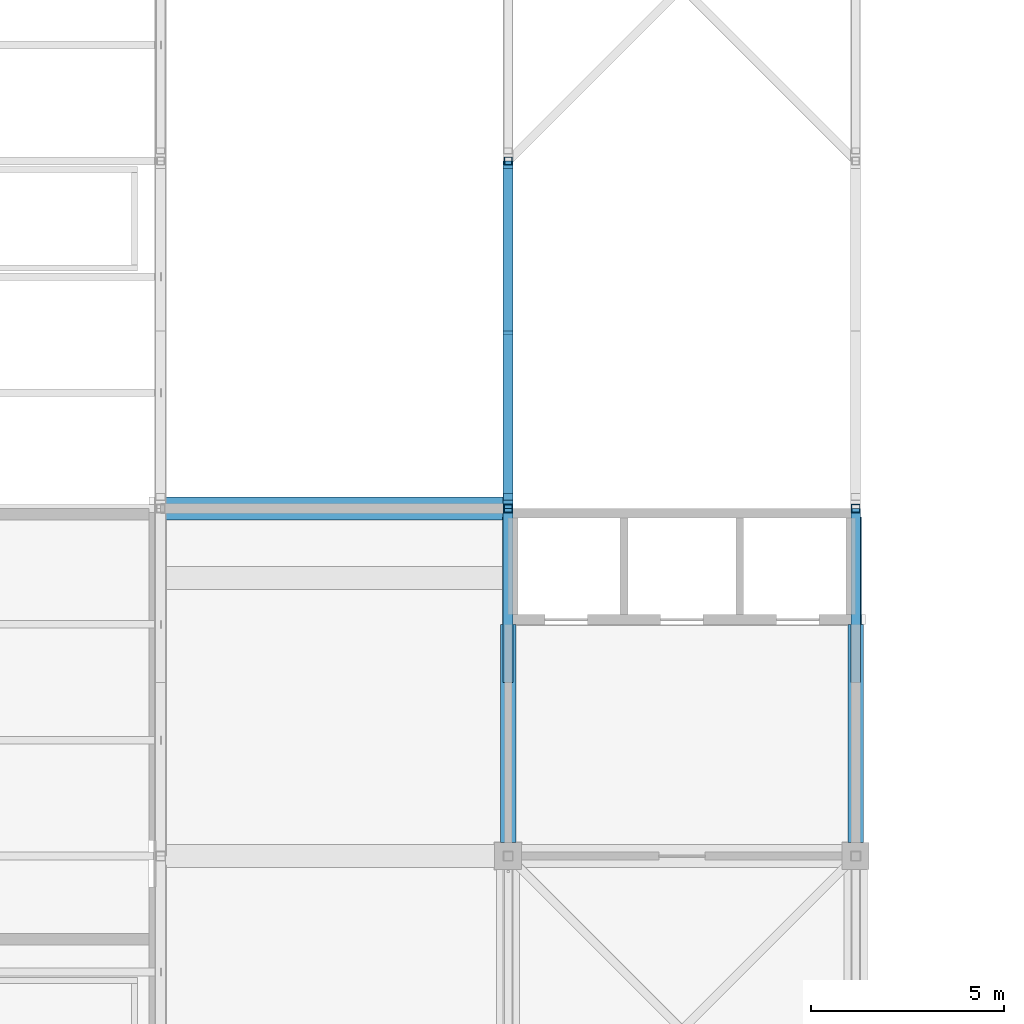
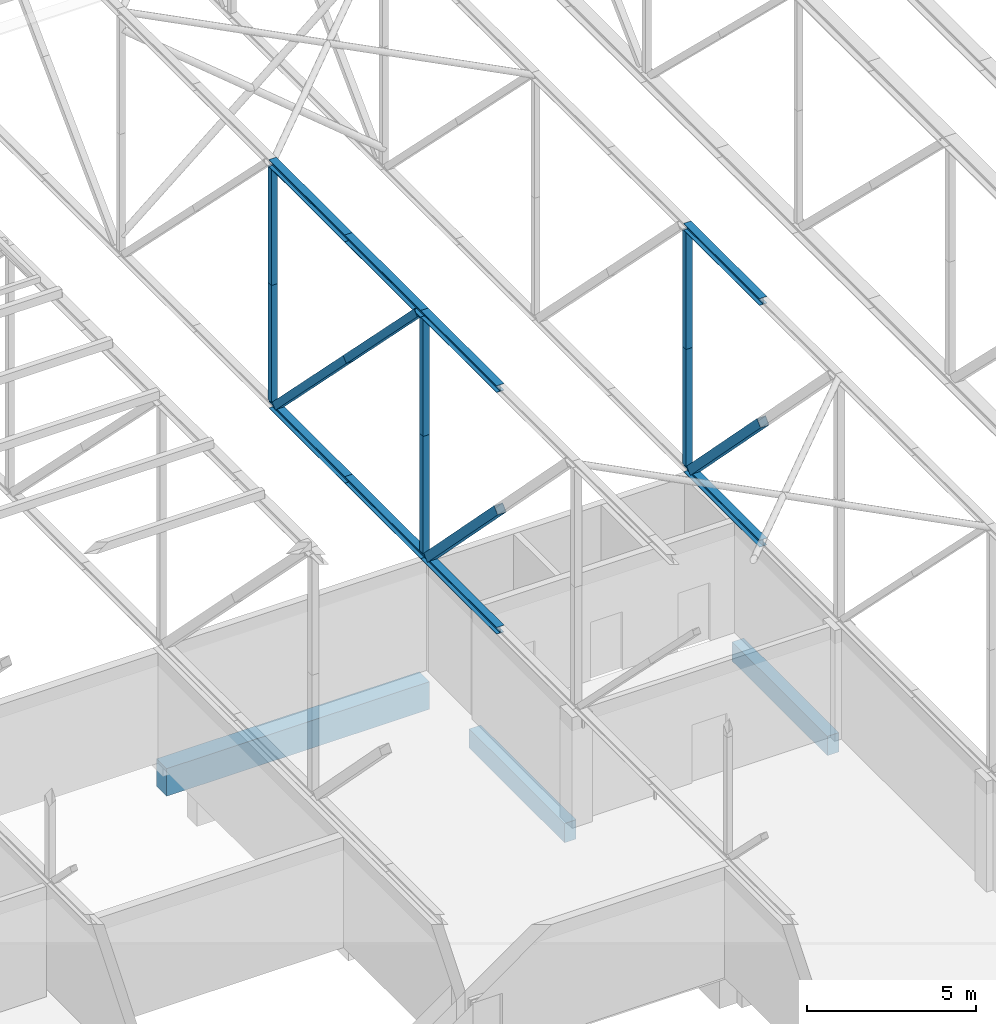
# One storey, part 30 of 646: 18 members, 3 beams.
"""IFC4 building model written with IfcOpenShell, lengths in metres."""

from ifc_helpers import new_model, si_unit, direction, frame, origin, origin_2d, place, context, subcontext, project, spatial, rectangle, hollow_rectangle, i_section, extrude, material, material_profile, profile_set, type_object, element, save


model = new_model("IFC4")

# Units and contexts
model_context = context("Model", 3, precision=1e-05, world=origin(), true_north=direction((0.0, 1.0)))
body_context = subcontext(model_context, "Body", "Model", "MODEL_VIEW")
ifc_project = project(units=[si_unit("LENGTHUNIT", "METRE"), si_unit("AREAUNIT", "SQUARE_METRE"), si_unit("VOLUMEUNIT", "CUBIC_METRE"), si_unit("PLANEANGLEUNIT", "RADIAN"), si_unit("MASSUNIT", "GRAM", prefix="KILO")], contexts=[model_context])

# Site, building, storey
site_placement = place(None, origin())
site = spatial("IfcSite", under=ifc_project, at=site_placement, CompositionType="ELEMENT")
building_placement = place(site_placement, origin())
building = spatial("IfcBuilding", under=site, at=building_placement, Name="Silverbay Arena", CompositionType="ELEMENT")
storey_placement = place(building_placement, frame((0.0, 0.0, 33.5)))
storey = spatial("IfcBuildingStorey", under=building, at=storey_placement, Name="L05", CompositionType="ELEMENT", Elevation=33.5)

# Members
ifc_material_1 = material(Name="Steel S355", Category="steel")
ifc_material_profile_1 = material_profile(ifc_material_1, i_section(OverallWidth=0.254638671875, OverallDepth=0.254150390625, WebThickness=0.008544921875, FlangeThickness=0.01416015625, at=origin_2d()), Name="UC 254x254x73")
ifc_profile_set_1 = profile_set([ifc_material_profile_1], Name="Steel S355")
member_type_1 = type_object("IfcMemberType", Name="Medium-span bottom chord UC 254x254x73", PredefinedType="CHORD", material=ifc_profile_set_1)
for number, where, z_axis, x_axis, name in (
    (1, (90.0, 58.5, 4.126953125), (0.0, 1.0, 0.0), (-1.0, 0.0, 0.0), "ROOF TRUSS 11 bottom chord 06b"),
    (2, (90.0, 63.0, 4.126953125), (0.0, 1.0, 0.0), (-1.0, 0.0, 0.0), "ROOF TRUSS 11 bottom chord 07a"),
    (3, (90.0, 67.5, 4.126953125), (0.0, 1.0, 0.0), (-1.0, 0.0, 0.0), "ROOF TRUSS 11 bottom chord 07b"),
    (4, (99.0, 58.5, 4.126953125), (0.0, 1.0, 0.0), (-1.0, 0.0, 0.0), "ROOF TRUSS 12 bottom chord 06b"),
):
    element("IfcMember", number, at=place(storey_placement, frame(where, z_axis=z_axis, x_axis=x_axis)), inside=storey, type_object=member_type_1, Name=name, PredefinedType="CHORD", context=body_context, shape_type="SweptSolid", body=[
        extrude(i_section(OverallWidth=0.254638671875, OverallDepth=0.254150390625, WebThickness=0.008544921875, FlangeThickness=0.01416015625, at=origin_2d()), origin(), (0.0, 0.0, 1.0), 4.5),
    ])
ifc_material_2 = material(Name="Steel S355", Category="steel")
ifc_material_profile_2 = material_profile(ifc_material_2, i_section(OverallWidth=0.2587890625, OverallDepth=0.2666015625, WebThickness=0.0126953125, FlangeThickness=0.0205078125, at=origin_2d()), Name="UC 254x254x107")
ifc_profile_set_2 = profile_set([ifc_material_profile_2], Name="Steel S355")
member_type_2 = type_object("IfcMemberType", Name="Medium-span top chord UC 254x254x107", PredefinedType="CHORD", material=ifc_profile_set_2)
for number, where, z_axis, x_axis, name in (
    (5, (90.0, 63.0, 12.86669921875), (0.0, 1.0, 0.0), (-1.0, 0.0, 0.0), "ROOF TRUSS 11 top chord 07a"),
    (6, (90.0, 67.5, 12.86669921875), (0.0, 1.0, 0.0), (-1.0, 0.0, 0.0), "ROOF TRUSS 11 top chord 07b"),
):
    element("IfcMember", number, at=place(storey_placement, frame(where, z_axis=z_axis, x_axis=x_axis)), inside=storey, type_object=member_type_2, Name=name, PredefinedType="CHORD", context=body_context, shape_type="SweptSolid", body=[
        extrude(i_section(OverallWidth=0.2587890625, OverallDepth=0.2666015625, WebThickness=0.0126953125, FlangeThickness=0.0205078125, at=origin_2d()), origin(), (0.0, 0.0, 1.0), 4.5),
    ])
ifc_material_3 = material(Name="Steel S355", Category="steel")
ifc_material_profile_3 = material_profile(ifc_material_3, i_section(OverallWidth=0.254638671875, OverallDepth=0.254150390625, WebThickness=0.008544921875, FlangeThickness=0.01416015625, at=origin_2d()), Name="UC 254x254x73")
ifc_profile_set_3 = profile_set([ifc_material_profile_3], Name="Steel S355")
member_type_3 = type_object("IfcMemberType", Name="Medium-span top chord UC 254x254x73", PredefinedType="CHORD", material=ifc_profile_set_3)
for number, where, z_axis, x_axis, name in (
    (7, (90.0, 58.5, 12.873046875), (0.0, 1.0, 0.0), (-1.0, 0.0, 0.0), "ROOF TRUSS 11 top chord 06b"),
    (8, (99.0, 58.5, 12.873046875), (0.0, 1.0, 0.0), (-1.0, 0.0, 0.0), "ROOF TRUSS 12 top chord 06b"),
):
    element("IfcMember", number, at=place(storey_placement, frame(where, z_axis=z_axis, x_axis=x_axis)), inside=storey, type_object=member_type_3, Name=name, PredefinedType="CHORD", context=body_context, shape_type="SweptSolid", body=[
        extrude(i_section(OverallWidth=0.254638671875, OverallDepth=0.254150390625, WebThickness=0.008544921875, FlangeThickness=0.01416015625, at=origin_2d()), origin(), (0.0, 0.0, 1.0), 4.5),
    ])
ifc_material_4 = material(Name="Steel S355", Category="steel")
ifc_material_profile_4 = material_profile(ifc_material_4, hollow_rectangle(XDim=0.260009765625, YDim=0.260009765625, WallThickness=0.010009765625, at=origin_2d()), Name="SHS 260x260x10")
ifc_profile_set_4 = profile_set([ifc_material_profile_4], Name="Steel S355")
member_type_4 = type_object("IfcMemberType", Name="Medium-span truss diagonal SHS 260x260x10", PredefinedType="BRACE", material=ifc_profile_set_4)
for number, where, z_axis, x_axis, name in (
    (9, (90.0, 63.299560546875, 12.7333984375), (0.0, 0.704218618707, -0.709983194918), (-1.0, 0.0, 0.0), "ROOF TRUSS 11 diagonal 07a"),
    (10, (90.0, 67.5048828125, 8.49365234375), (0.0, 0.704259667026, -0.709942477529), (-1.0, 0.0, 0.0), "ROOF TRUSS 11 diagonal 07b"),
):
    element("IfcMember", number, at=place(storey_placement, frame(where, z_axis=z_axis, x_axis=x_axis)), inside=storey, type_object=member_type_4, Name=name, PredefinedType="BRACE", context=body_context, shape_type="SweptSolid", body=[
        extrude(hollow_rectangle(XDim=0.260009765625, YDim=0.260009765625, WallThickness=0.010009765625, at=origin_2d()), origin(), (0.0, 0.0, 1.0), 5.9716796875),
    ])
ifc_material_5 = material(Name="Steel S355", Category="steel")
ifc_material_profile_5 = material_profile(ifc_material_5, hollow_rectangle(XDim=0.300048828125, YDim=0.300048828125, WallThickness=0.012451171875, at=origin_2d()), Name="SHS 300x300x12.5")
ifc_profile_set_5 = profile_set([ifc_material_profile_5], Name="Steel S355")
member_type_5 = type_object("IfcMemberType", Name="Medium-span truss diagonal SHS 300x300x12.5", PredefinedType="BRACE", material=ifc_profile_set_5)
for number, where, z_axis, x_axis, name in (
    (11, (90.0, 58.507568359375, 8.5), (0.0, 0.700176070598, -0.713970216579), (-1.0, 0.0, 0.0), "ROOF TRUSS 11 diagonal 06b"),
    (12, (99.0, 58.507568359375, 8.5), (0.0, 0.700176070598, -0.713970216579), (-1.0, 0.0, 0.0), "ROOF TRUSS 12 diagonal 06b"),
):
    element("IfcMember", number, at=place(storey_placement, frame(where, z_axis=z_axis, x_axis=x_axis)), inside=storey, type_object=member_type_5, Name=name, PredefinedType="BRACE", context=body_context, shape_type="SweptSolid", body=[
        extrude(hollow_rectangle(XDim=0.300048828125, YDim=0.300048828125, WallThickness=0.012451171875, at=origin_2d()), origin(), (0.0, 0.0, 1.0), 5.94677734375),
    ])
ifc_material_6 = material(Name="Steel S355", Category="steel")
ifc_material_profile_6 = material_profile(ifc_material_6, hollow_rectangle(XDim=0.199951171875, YDim=0.199951171875, WallThickness=0.008056640625, at=origin_2d()), Name="SHS 200x200x8")
ifc_profile_set_6 = profile_set([ifc_material_profile_6], Name="Steel S355")
member_type_6 = type_object("IfcMemberType", Name="Medium-span truss vertical SHS 200x200x8", PredefinedType="STRUT", material=ifc_profile_set_6)
member_1_placement = place(storey_placement, frame((90.0, 72.0, 4.254150390625), z_axis=(0.0, 0.0, 1.0), x_axis=(1.0, 0.0, 0.0)))
element("IfcMember", 13, at=member_1_placement, inside=storey, type_object=member_type_6, Name="ROOF TRUSS 11 vertical 08a", PredefinedType="STRUT", context=body_context, shape_type="SweptSolid", body=[
    extrude(hollow_rectangle(XDim=0.199951171875, YDim=0.199951171875, WallThickness=0.008056640625, at=origin_2d()), origin(), (0.0, 0.0, 1.0), 4.239501953125),
])
member_2_placement = place(storey_placement, frame((90.0, 72.0, 8.49365234375), z_axis=(0.0, 0.0, 1.0), x_axis=(1.0, 0.0, 0.0)))
element("IfcMember", 14, at=member_2_placement, inside=storey, type_object=member_type_6, Name="ROOF TRUSS 11 vertical 08b", PredefinedType="STRUT", context=body_context, shape_type="SweptSolid", body=[
    extrude(hollow_rectangle(XDim=0.199951171875, YDim=0.199951171875, WallThickness=0.008056640625, at=origin_2d()), origin(), (0.0, 0.0, 1.0), 4.23974609375),
])
ifc_material_7 = material(Name="Steel S355", Category="steel")
ifc_material_profile_7 = material_profile(ifc_material_7, hollow_rectangle(XDim=0.219970703125, YDim=0.219970703125, WallThickness=0.008056640625, at=origin_2d()), Name="SHS 220x220x8")
ifc_profile_set_7 = profile_set([ifc_material_profile_7], Name="Steel S355")
member_type_7 = type_object("IfcMemberType", Name="Medium-span truss vertical SHS 220x220x8", PredefinedType="STRUT", material=ifc_profile_set_7)
member_3_placement = place(storey_placement, frame((90.0, 63.0, 4.254150390625), z_axis=(0.0, 0.0, 1.0), x_axis=(1.0, 0.0, 0.0)))
element("IfcMember", 15, at=member_3_placement, inside=storey, type_object=member_type_7, Name="ROOF TRUSS 11 vertical 07a", PredefinedType="STRUT", context=body_context, shape_type="SweptSolid", body=[
    extrude(hollow_rectangle(XDim=0.219970703125, YDim=0.219970703125, WallThickness=0.008056640625, at=origin_2d()), origin(), (0.0, 0.0, 1.0), 4.239501953125),
])
member_4_placement = place(storey_placement, frame((90.0, 63.0, 8.49365234375), z_axis=(0.0, 0.0, 1.0), x_axis=(1.0, 0.0, 0.0)))
element("IfcMember", 16, at=member_4_placement, inside=storey, type_object=member_type_7, Name="ROOF TRUSS 11 vertical 07b", PredefinedType="STRUT", context=body_context, shape_type="SweptSolid", body=[
    extrude(hollow_rectangle(XDim=0.219970703125, YDim=0.219970703125, WallThickness=0.008056640625, at=origin_2d()), origin(), (0.0, 0.0, 1.0), 4.23974609375),
])
member_5_placement = place(storey_placement, frame((99.0, 63.0, 4.254150390625), z_axis=(0.0, 0.0, 1.0), x_axis=(1.0, 0.0, 0.0)))
element("IfcMember", 17, at=member_5_placement, inside=storey, type_object=member_type_7, Name="ROOF TRUSS 12 vertical 07a", PredefinedType="STRUT", context=body_context, shape_type="SweptSolid", body=[
    extrude(hollow_rectangle(XDim=0.219970703125, YDim=0.219970703125, WallThickness=0.008056640625, at=origin_2d()), origin(), (0.0, 0.0, 1.0), 4.239501953125),
])
member_6_placement = place(storey_placement, frame((99.0, 63.0, 8.49365234375), z_axis=(0.0, 0.0, 1.0), x_axis=(1.0, 0.0, 0.0)))
element("IfcMember", 18, at=member_6_placement, inside=storey, type_object=member_type_7, Name="ROOF TRUSS 12 vertical 07b", PredefinedType="STRUT", context=body_context, shape_type="SweptSolid", body=[
    extrude(hollow_rectangle(XDim=0.219970703125, YDim=0.219970703125, WallThickness=0.008056640625, at=origin_2d()), origin(), (0.0, 0.0, 1.0), 4.23974609375),
])

# Beams
ifc_material_8 = material(Name="Concrete Grade C45", Category="concrete")
ifc_material_profile_8 = material_profile(ifc_material_8, rectangle(XDim=0.39990234375, YDim=0.699951171875, at=origin_2d()), Name="RC 400x700")
ifc_profile_set_8 = profile_set([ifc_material_profile_8], Name="Concrete Grade C45")
beam_type_1 = type_object("IfcBeamType", Name="RC beam 400x700", PredefinedType="BEAM", material=ifc_profile_set_8)
for number, where, z_axis, x_axis, name in (
    (19, (90.0, 54.35009765625, -0.64990234375), (0.0, 1.0, 0.0), (-1.0, 0.0, 0.0), "Floor beam L05 091"),
    (20, (99.0, 54.35009765625, -0.64990234375), (0.0, 1.0, 0.0), (-1.0, 0.0, 0.0), "Floor beam L05 100"),
):
    element("IfcBeam", number, at=place(storey_placement, frame(where, z_axis=z_axis, x_axis=x_axis)), inside=storey, type_object=beam_type_1, Name=name, PredefinedType="BEAM", context=body_context, shape_type="SweptSolid", body=[
        extrude(rectangle(XDim=0.39990234375, YDim=0.699951171875, at=origin_2d()), origin(), (0.0, 0.0, 1.0), 5.64990234375),
    ])
ifc_material_9 = material(Name="Concrete Grade C45", Category="concrete")
ifc_material_profile_9 = material_profile(ifc_material_9, rectangle(XDim=0.60009765625, YDim=1.0, at=origin_2d()), Name="RC 600x1000")
ifc_profile_set_9 = profile_set([ifc_material_profile_9], Name="Concrete Grade C45")
beam_type_2 = type_object("IfcBeamType", Name="RC beam 600x1000", PredefinedType="BEAM", material=ifc_profile_set_9)
beam_placement = place(storey_placement, frame((81.0, 63.0, -0.800048828125), z_axis=(1.0, 0.0, 0.0), x_axis=(0.0, 1.0, 0.0)))
element("IfcBeam", 21, at=beam_placement, inside=storey, type_object=beam_type_2, Name="Floor beam L05 030", PredefinedType="BEAM", context=body_context, shape_type="SweptSolid", body=[
    extrude(rectangle(XDim=0.60009765625, YDim=1.0, at=origin_2d()), origin(), (0.0, 0.0, 1.0), 9.0),
])

save(model, "model.ifc")
